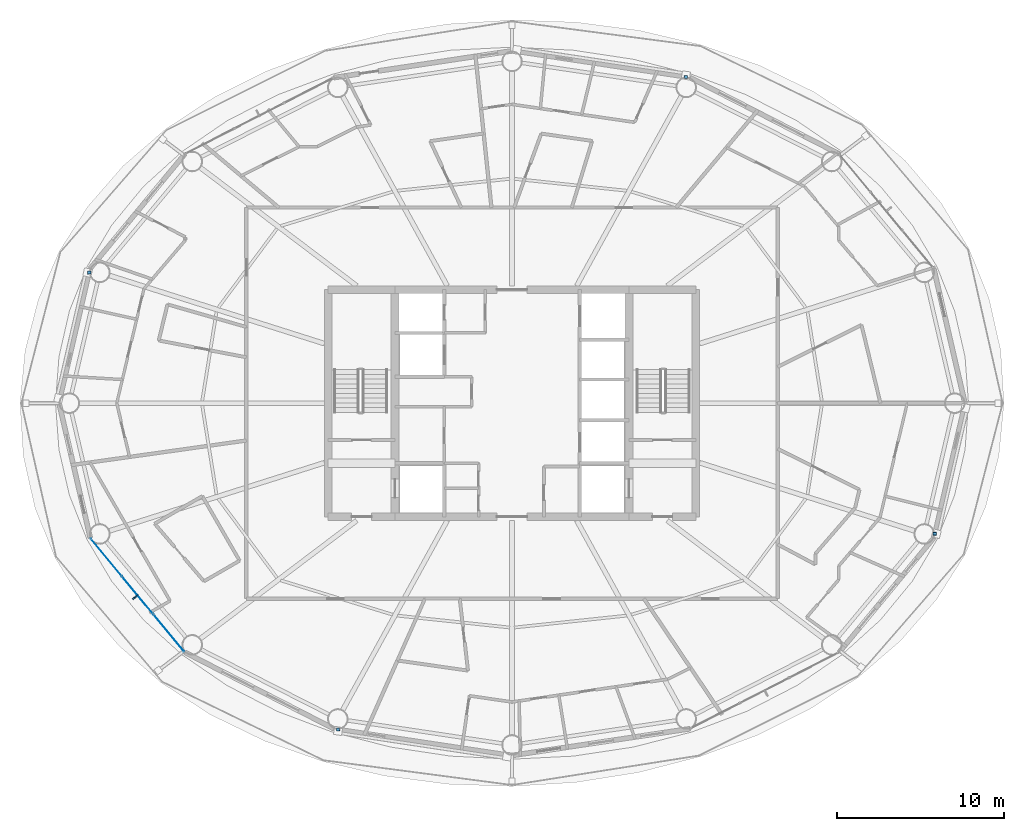
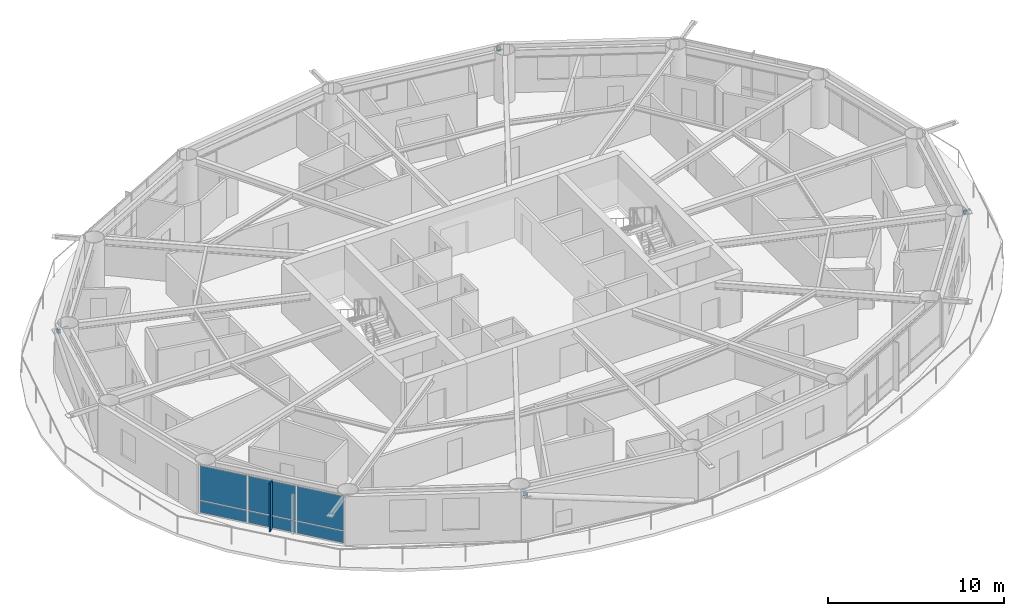
# One storey, part 16 of 28: 7 plates, 4 members, 1 element without a shape of its own.
"""IFC4 building model written with IfcOpenShell, lengths in metres."""

from ifc_helpers import new_model, si_unit, direction, frame, origin, origin_2d, place, context, subcontext, project, spatial, rectangle, hollow_rectangle, extrude, material, layer, layer_set, material_profile, profile_set, type_object, element, aggregate, save


model = new_model("IFC4")

# Units and contexts
model_context = context("Model", 3, precision=1e-05, world=origin(), true_north=direction((0.0, 1.0)))
body_context = subcontext(model_context, "Body", "Model", "MODEL_VIEW")
ifc_project = project(units=[si_unit("LENGTHUNIT", "METRE"), si_unit("AREAUNIT", "SQUARE_METRE"), si_unit("VOLUMEUNIT", "CUBIC_METRE"), si_unit("PLANEANGLEUNIT", "RADIAN"), si_unit("MASSUNIT", "GRAM", prefix="KILO")], contexts=[model_context])

# Site, building, storey
site_placement = place(None, origin())
site = spatial("IfcSite", under=ifc_project, at=site_placement, CompositionType="ELEMENT")
building_placement = place(site_placement, origin())
building = spatial("IfcBuilding", under=site, at=building_placement, Name="Sarneth Arch Tower", CompositionType="ELEMENT")
storey_placement = place(building_placement, frame((0.0, 0.0, 179.39990234375)))
storey = spatial("IfcBuildingStorey", under=building, at=storey_placement, Name="L45", CompositionType="ELEMENT", Elevation=179.39990234375)

# Members
ifc_material_1 = material(Name="Steel S355", Category="steel")
ifc_material_profile = material_profile(ifc_material_1, hollow_rectangle(XDim=0.199951171875, YDim=0.300048828125, WallThickness=0.012451171875, InnerFilletRadius=0.018798828125, OuterFilletRadius=0.03125, at=origin_2d()), Name="RHS300x200x12.5")
ifc_profile_set = profile_set([ifc_material_profile], Name="Steel S355")
member_type = type_object("IfcMemberType", Name="MEM-CANT-STRUT", PredefinedType="STRUT", material=ifc_profile_set)
member_1_placement = place(storey_placement, frame((58.40869140625, 61.43310546875, 3.05078125), z_axis=(-0.024482455341, 0.999700259768, 0.0), x_axis=(-0.999700259768, -0.024482455341, 0.0)))
element("IfcMember", 1, at=member_1_placement, inside=storey, type_object=member_type, Name="L45 Exoskeleton brace node strut 04B", PredefinedType="STRUT", context=body_context, shape_type="SweptSolid", body=[
    extrude(hollow_rectangle(XDim=0.199951171875, YDim=0.300048828125, WallThickness=0.012451171875, InnerFilletRadius=0.018798828125, OuterFilletRadius=0.03125, at=origin_2d()), origin(), (0.0, 0.0, 1.0), 0.179443359375),
])
member_2_placement = place(storey_placement, frame((22.7978515625, 49.81640625, 3.05078125), z_axis=(-0.999835179989, -0.018155243216, 0.0), x_axis=(0.018155243216, -0.999835179989, 0.0)))
element("IfcMember", 2, at=member_2_placement, inside=storey, type_object=member_type, Name="L45 Exoskeleton brace node strut 08B", PredefinedType="STRUT", context=body_context, shape_type="SweptSolid", body=[
    extrude(hollow_rectangle(XDim=0.199951171875, YDim=0.300048828125, WallThickness=0.012451171875, InnerFilletRadius=0.018798828125, OuterFilletRadius=0.03125, at=origin_2d()), origin(), (0.0, 0.0, 1.0), 0.188232421875),
])
member_3_placement = place(storey_placement, frame((37.59130859375, 22.56689453125, 3.05078125), z_axis=(0.024482455341, -0.999700259768, 0.0), x_axis=(0.999700259768, 0.024482455341, 0.0)))
element("IfcMember", 3, at=member_3_placement, inside=storey, type_object=member_type, Name="L45 Exoskeleton brace node strut 12B", PredefinedType="STRUT", context=body_context, shape_type="SweptSolid", body=[
    extrude(hollow_rectangle(XDim=0.199951171875, YDim=0.300048828125, WallThickness=0.012451171875, InnerFilletRadius=0.018798828125, OuterFilletRadius=0.03125, at=origin_2d()), origin(), (0.0, 0.0, 1.0), 0.179443359375),
])
member_4_placement = place(storey_placement, frame((73.2021484375, 34.18359375, 3.05078125), z_axis=(0.999835179989, 0.018155243216, 0.0), x_axis=(-0.018155243216, 0.999835179989, 0.0)))
element("IfcMember", 4, at=member_4_placement, inside=storey, type_object=member_type, Name="L45 Exoskeleton brace node strut 16B", PredefinedType="STRUT", context=body_context, shape_type="SweptSolid", body=[
    extrude(hollow_rectangle(XDim=0.199951171875, YDim=0.300048828125, WallThickness=0.012451171875, InnerFilletRadius=0.018798828125, OuterFilletRadius=0.03125, at=origin_2d()), origin(), (0.0, 0.0, 1.0), 0.188232421875),
])

# Curtain wall, plates
ifc_material_2 = material(Name="Anodised aluminium Type AA25 and solar-control low-e laminated IGU", Category="aluminium")
ifc_layer_1 = layer(ifc_material_2, 0.169921875)
ifc_layer_set_1 = layer_set([ifc_layer_1], Name="Anodised aluminium Type AA25 and solar-control low-e laminated IGU")
curtain_wall_type = type_object("IfcCurtainWallType", Name="CW-RES-MID", PredefinedType="NOTDEFINED", material=ifc_layer_set_1)
curtain_wall_placement = place(storey_placement, origin())
curtain_wall = element("IfcCurtainWall", 5, at=curtain_wall_placement, inside=storey, type_object=curtain_wall_type, Name="L45 Unitised curtain wall facet 10", PredefinedType="NOTDEFINED")
ifc_material_3 = material(Name="Solar-control low-e laminated IGU", Category="glass")
ifc_layer_2 = layer(ifc_material_3, 0.028076171875)
ifc_layer_set_2 = layer_set([ifc_layer_2], Name="Solar-control low-e laminated IGU")
plate_type_1 = type_object("IfcPlateType", Name="CW-PANEL", PredefinedType="CURTAIN_PANEL", material=ifc_layer_set_2)
plate_1_placement = place(storey_placement, frame((23.719970703125, 32.78173828125, 0.06005859375), z_axis=(0.0, 0.0, 1.0), x_axis=(0.637330298558, -0.770590741276, 0.0)))
plate_1 = element("IfcPlate", 6, at=plate_1_placement, type_object=plate_type_1, Name="Curtain wall glazed vision pane CW-L45-F10/P00-00", PredefinedType="CURTAIN_PANEL", context=body_context, shape_type="SweptSolid", body=[
    extrude(rectangle(XDim=2.8681640625, YDim=0.028076171875, at=origin_2d()), origin(), (0.0, 0.0, 1.0), 0.81005859375),
])
plate_2_placement = place(storey_placement, frame((23.719970703125, 32.78173828125, 0.93017578125), z_axis=(0.0, 0.0, 1.0), x_axis=(0.637330298558, -0.770590741276, 0.0)))
plate_2 = element("IfcPlate", 7, at=plate_2_placement, type_object=plate_type_1, Name="Curtain wall glazed vision pane CW-L45-F10/P00-01", PredefinedType="CURTAIN_PANEL", context=body_context, shape_type="SweptSolid", body=[
    extrude(rectangle(XDim=2.8681640625, YDim=0.028076171875, at=origin_2d()), origin(), (0.0, 0.0, 1.0), 2.389892578125),
])
plate_3_placement = place(storey_placement, frame((25.595703125, 30.513671875, 0.06005859375), z_axis=(0.0, 0.0, 1.0), x_axis=(0.637330298558, -0.770590741276, 0.0)))
plate_3 = element("IfcPlate", 8, at=plate_3_placement, type_object=plate_type_1, Name="Curtain wall glazed vision pane CW-L45-F10/P01-00", PredefinedType="CURTAIN_PANEL", context=body_context, shape_type="SweptSolid", body=[
    extrude(rectangle(XDim=2.898193359375, YDim=0.028076171875, at=origin_2d()), origin(), (0.0, 0.0, 1.0), 0.81005859375),
])
plate_4_placement = place(storey_placement, frame((25.595703125, 30.513671875, 0.93017578125), z_axis=(0.0, 0.0, 1.0), x_axis=(0.637330298558, -0.770590741276, 0.0)))
plate_4 = element("IfcPlate", 9, at=plate_4_placement, type_object=plate_type_1, Name="Curtain wall glazed vision pane CW-L45-F10/P01-01", PredefinedType="CURTAIN_PANEL", context=body_context, shape_type="SweptSolid", body=[
    extrude(rectangle(XDim=2.898193359375, YDim=0.028076171875, at=origin_2d()), origin(), (0.0, 0.0, 1.0), 2.389892578125),
])
plate_5_placement = place(storey_placement, frame((27.4716796875, 28.24560546875, 0.06005859375), z_axis=(0.0, 0.0, 1.0), x_axis=(0.637330298558, -0.770590741276, 0.0)))
plate_5 = element("IfcPlate", 10, at=plate_5_placement, type_object=plate_type_1, Name="Curtain wall glazed vision pane CW-L45-F10/P02-00", PredefinedType="CURTAIN_PANEL", context=body_context, shape_type="SweptSolid", body=[
    extrude(rectangle(XDim=2.8681640625, YDim=0.028076171875, at=origin_2d()), origin(), (0.0, 0.0, 1.0), 0.81005859375),
])
plate_6_placement = place(storey_placement, frame((27.4716796875, 28.24560546875, 0.93017578125), z_axis=(0.0, 0.0, 1.0), x_axis=(0.637330298558, -0.770590741276, 0.0)))
plate_6 = element("IfcPlate", 11, at=plate_6_placement, type_object=plate_type_1, Name="Curtain wall glazed vision pane CW-L45-F10/P02-01", PredefinedType="CURTAIN_PANEL", context=body_context, shape_type="SweptSolid", body=[
    extrude(rectangle(XDim=2.8681640625, YDim=0.028076171875, at=origin_2d()), origin(), (0.0, 0.0, 1.0), 2.389892578125),
])
aggregate(curtain_wall, [plate_1, plate_2, plate_3, plate_4, plate_5, plate_6])

# Plate
ifc_material_4 = material(Name="Extruded glazed terracotta baguette fin on Aluminium 6063-T6 carrier", Category="masonry")
ifc_layer_3 = layer(ifc_material_4, 0.080078125)
ifc_layer_set_3 = layer_set([ifc_layer_3], Name="Extruded glazed terracotta baguette fin on Aluminium 6063-T6 carrier")
plate_type_2 = type_object("IfcPlateType", Name="SHADE-TERRA-FIN", PredefinedType="SHEET", material=ifc_layer_set_3)
plate_7_placement = place(storey_placement, frame((25.46484375, 30.4052734375, 0.01025390625), z_axis=(0.0, 0.0, 1.0), x_axis=(-0.770624482513, -0.637289500111, 0.0)))
element("IfcPlate", 12, at=plate_7_placement, inside=storey, type_object=plate_type_2, Name="L45 Terracotta vertical shading fin 10", PredefinedType="SHEET", context=body_context, shape_type="SweptSolid", body=[
    extrude(rectangle(XDim=0.419921875, YDim=0.080078125, at=origin_2d()), origin(), (0.0, 0.0, 1.0), 3.360107421875),
])

save(model, "model.ifc")
